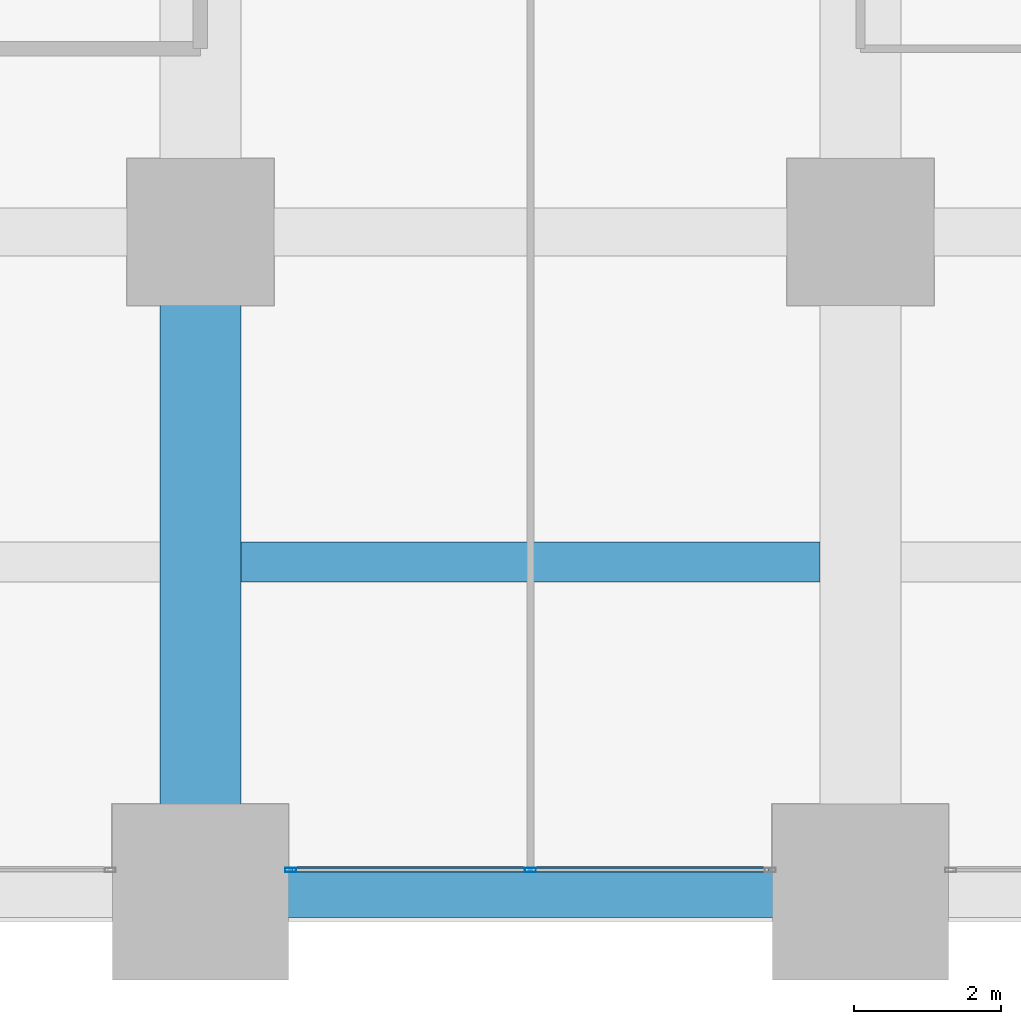
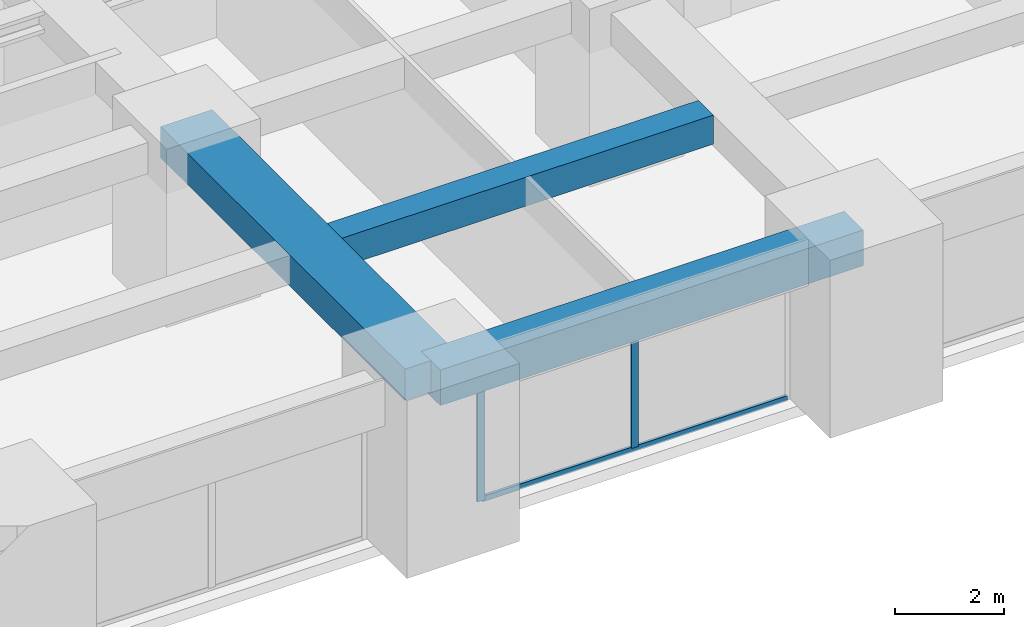
# One storey, part 7 of 40: 3 beams, 3 members, 1 element without a shape of its own.
"""IFC4 building model written with IfcOpenShell, lengths in metres."""

from ifc_helpers import new_model, si_unit, direction, frame, origin, origin_2d, place, context, subcontext, project, spatial, rectangle, hollow_rectangle, extrude, material, material_profile, profile_set, type_object, element, aggregate, save


model = new_model("IFC4")

# Units and contexts
model_context = context("Model", 3, precision=1e-05, world=origin(), true_north=direction((0.0, 1.0)))
body_context = subcontext(model_context, "Body", "Model", "MODEL_VIEW")
ifc_project = project(units=[si_unit("LENGTHUNIT", "METRE"), si_unit("AREAUNIT", "SQUARE_METRE"), si_unit("VOLUMEUNIT", "CUBIC_METRE"), si_unit("PLANEANGLEUNIT", "RADIAN"), si_unit("MASSUNIT", "GRAM", prefix="KILO")], contexts=[model_context])

# Site, building, storey
site_placement = place(None, origin())
site = spatial("IfcSite", under=ifc_project, at=site_placement, CompositionType="ELEMENT")
building_placement = place(site_placement, origin())
building = spatial("IfcBuilding", under=site, at=building_placement, Name="Zorevar Civic Tower", CompositionType="ELEMENT")
storey_placement = place(building_placement, frame((0.0, 0.0, 93.0)))
storey = spatial("IfcBuildingStorey", under=building, at=storey_placement, Name="L22", CompositionType="ELEMENT", Elevation=93.0)

# Beams
ifc_material_1 = material(Name="Concrete C50/60", Category="concrete")
ifc_material_profile_1 = material_profile(ifc_material_1, rectangle(XDim=1.10009765625, YDim=0.699951171875, at=origin_2d()), Name="RC 1100x700")
ifc_profile_set_1 = profile_set([ifc_material_profile_1], Name="Concrete C50/60")
beam_type_1 = type_object("IfcBeamType", Name="Beam RC 1100x700", PredefinedType="BEAM", material=ifc_profile_set_1)
beam_1_placement = place(storey_placement, frame((27.0, 0.0, 3.39990234375), z_axis=(0.0, 1.0, 0.0), x_axis=(-1.0, 0.0, 0.0)))
element("IfcBeam", 1, at=beam_1_placement, inside=storey, type_object=beam_type_1, Name="Girder L23", PredefinedType="BEAM", context=body_context, shape_type="SweptSolid", body=[
    extrude(rectangle(XDim=1.10009765625, YDim=0.699951171875, at=origin_2d()), origin(), (0.0, 0.0, 1.0), 9.0),
])
ifc_material_2 = material(Name="Concrete C50/60", Category="concrete")
ifc_material_profile_2 = material_profile(ifc_material_2, rectangle(XDim=0.550048828125, YDim=0.64990234375, at=origin_2d()), Name="RC 550x650")
ifc_profile_set_2 = profile_set([ifc_material_profile_2], Name="Concrete C50/60")
beam_type_2 = type_object("IfcBeamType", Name="Beam RC 550x650", PredefinedType="BEAM", material=ifc_profile_set_2)
beam_2_placement = place(storey_placement, frame((27.550048828125, 4.5, 3.425048828125), z_axis=(1.0, 0.0, 0.0), x_axis=(0.0, 1.0, 0.0)))
element("IfcBeam", 2, at=beam_2_placement, inside=storey, type_object=beam_type_2, Name="Secondary beam L23", PredefinedType="BEAM", context=body_context, shape_type="SweptSolid", body=[
    extrude(rectangle(XDim=0.550048828125, YDim=0.64990234375, at=origin_2d()), origin(), (0.0, 0.0, 1.0), 7.89990234375),
])

# Curtain wall, members
ifc_material_3 = material(Name="Dark grey solar-control glass in black aluminium frame", Category="aluminium")
curtain_wall_type = type_object("IfcCurtainWallType", Name="Curtain wall CW3 mid zone", PredefinedType="NOTDEFINED", material=ifc_material_3)
curtain_wall_placement = place(storey_placement, origin())
curtain_wall = element("IfcCurtainWall", 3, at=curtain_wall_placement, inside=storey, type_object=curtain_wall_type, Name="CW3 L22", PredefinedType="NOTDEFINED")
ifc_material_4 = material(Name="Aluminium, black anodised", Category="aluminium")
ifc_material_profile_3 = material_profile(ifc_material_4, hollow_rectangle(XDim=0.06005859375, YDim=0.14990234375, WallThickness=0.00390625, at=origin_2d()), Name="AL 150x60x4")
ifc_profile_set_3 = profile_set([ifc_material_profile_3], Name="Aluminium, black anodised")
member_type_1 = type_object("IfcMemberType", Name="CW3 mullion AL 150x60x4", PredefinedType="MULLION", material=ifc_profile_set_3)
member_1_placement = place(storey_placement, frame((28.22998046875, 0.300048828125, 0.0), z_axis=(0.0, 0.0, 1.0), x_axis=(0.0, 1.0, 0.0)))
member_1 = element("IfcMember", 4, at=member_1_placement, type_object=member_type_1, Name="CW3 mullion 1", PredefinedType="MULLION", context=body_context, shape_type="SweptSolid", body=[
    extrude(hollow_rectangle(XDim=0.06005859375, YDim=0.14990234375, WallThickness=0.00390625, at=origin_2d()), origin(), (0.0, 0.0, 1.0), 2.949951171875),
])
member_2_placement = place(storey_placement, frame((31.5, 0.300048828125, 0.06005859375), z_axis=(0.0, 0.0, 1.0), x_axis=(0.0, 1.0, 0.0)))
member_2 = element("IfcMember", 5, at=member_2_placement, type_object=member_type_1, Name="CW3 mullion 2", PredefinedType="MULLION", context=body_context, shape_type="SweptSolid", body=[
    extrude(hollow_rectangle(XDim=0.06005859375, YDim=0.14990234375, WallThickness=0.00390625, at=origin_2d()), origin(), (0.0, 0.0, 1.0), 2.889892578125),
])
ifc_material_5 = material(Name="Aluminium, black anodised", Category="aluminium")
ifc_material_profile_4 = material_profile(ifc_material_5, hollow_rectangle(XDim=0.06005859375, YDim=0.1201171875, WallThickness=0.0029296875, at=origin_2d()), Name="AL 120x60x3")
ifc_profile_set_4 = profile_set([ifc_material_profile_4], Name="Aluminium, black anodised")
member_type_2 = type_object("IfcMemberType", Name="CW3 transom AL 120x60x3", PredefinedType="USERDEFINED", material=ifc_profile_set_4)
member_3_placement = place(storey_placement, frame((28.260009765625, 0.300048828125, 0.030029296875), z_axis=(1.0, 0.0, 0.0), x_axis=(0.0, 1.0, 0.0)))
member_3 = element("IfcMember", 6, at=member_3_placement, type_object=member_type_2, Name="CW3 sill transom", ObjectType="TRANSOM", PredefinedType="USERDEFINED", context=body_context, shape_type="SweptSolid", body=[
    extrude(hollow_rectangle(XDim=0.06005859375, YDim=0.1201171875, WallThickness=0.0029296875, at=origin_2d()), origin(), (0.0, 0.0, 1.0), 6.47998046875),
])
aggregate(curtain_wall, [member_1, member_2, member_3])

# Beam
ifc_material_6 = material(Name="Concrete C50/60", Category="concrete")
ifc_material_profile_5 = material_profile(ifc_material_6, rectangle(XDim=0.699951171875, YDim=0.800048828125, at=origin_2d()), Name="RC 700x800")
ifc_profile_set_5 = profile_set([ifc_material_profile_5], Name="Concrete C50/60")
beam_type_3 = type_object("IfcBeamType", Name="Edge beam RC 700x800", PredefinedType="SPANDREL", material=ifc_profile_set_5)
beam_3_placement = place(storey_placement, frame((27.0, 0.0, 3.35009765625), z_axis=(1.0, 0.0, 0.0), x_axis=(0.0, 1.0, 0.0)))
element("IfcBeam", 7, at=beam_3_placement, inside=storey, type_object=beam_type_3, Name="Edge beam L23", PredefinedType="SPANDREL", context=body_context, shape_type="SweptSolid", body=[
    extrude(rectangle(XDim=0.699951171875, YDim=0.800048828125, at=origin_2d()), origin(), (0.0, 0.0, 1.0), 9.0),
])

save(model, "model.ifc")
